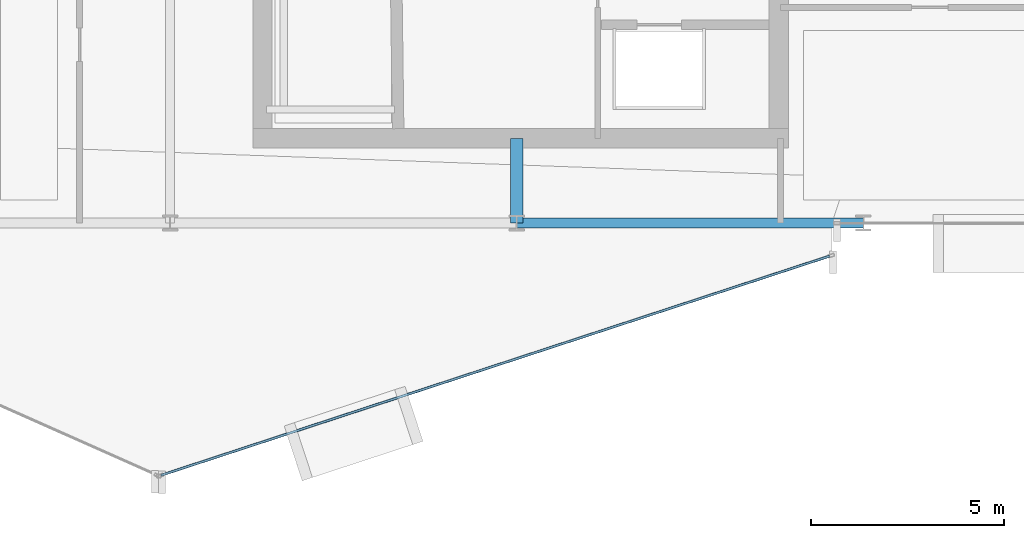
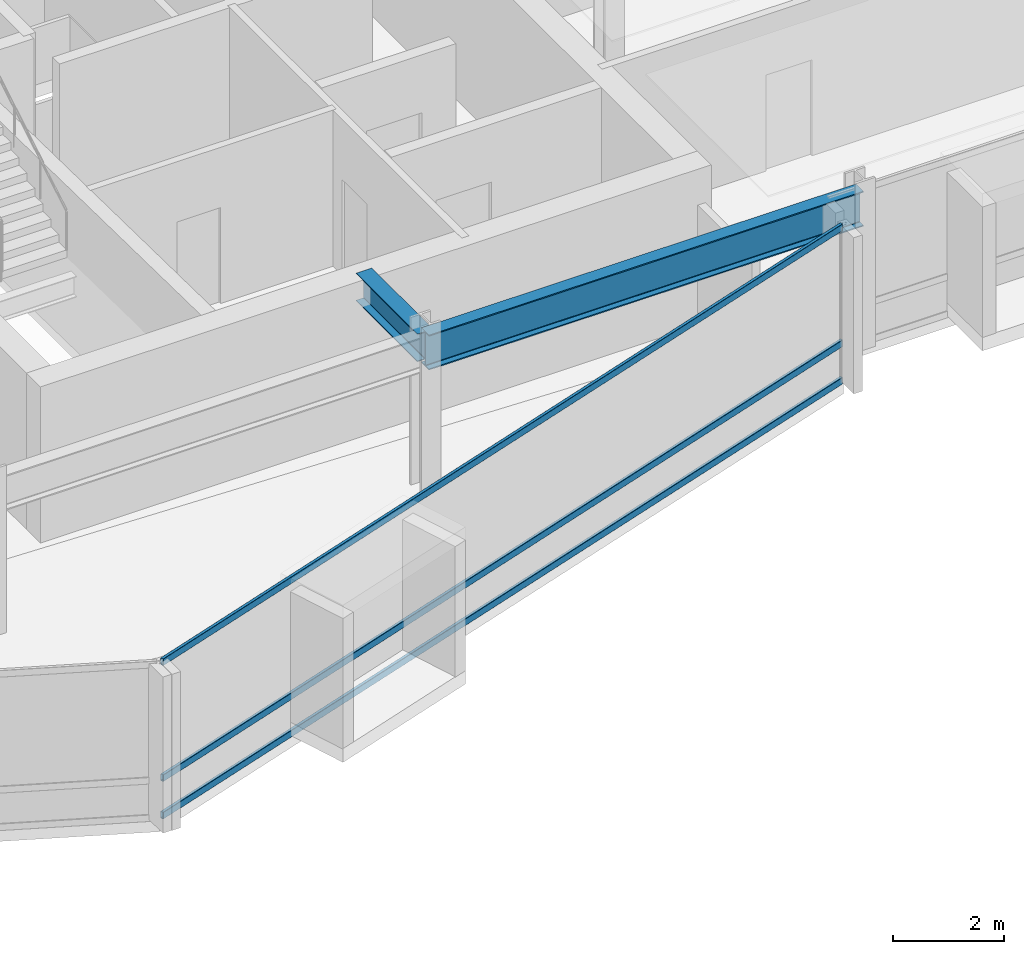
# One storey, part 9 of 27: 3 members, 2 beams, 1 element without a shape of its own.
"""IFC4 building model written with IfcOpenShell, lengths in metres."""

from ifc_helpers import new_model, si_unit, direction, frame, origin, origin_2d, place, context, subcontext, project, spatial, hollow_rectangle, i_section, extrude, material, layer, layer_set, material_profile, profile_set, type_object, element, aggregate, save


model = new_model("IFC4")

# Units and contexts
model_context = context("Model", 3, precision=1e-05, world=origin(), true_north=direction((0.0, 1.0)))
body_context = subcontext(model_context, "Body", "Model", "MODEL_VIEW")
ifc_project = project(units=[si_unit("LENGTHUNIT", "METRE"), si_unit("AREAUNIT", "SQUARE_METRE"), si_unit("VOLUMEUNIT", "CUBIC_METRE"), si_unit("PLANEANGLEUNIT", "RADIAN"), si_unit("MASSUNIT", "GRAM", prefix="KILO")], contexts=[model_context])

# Site, building, storey
site_placement = place(None, origin())
site = spatial("IfcSite", under=ifc_project, at=site_placement, CompositionType="ELEMENT")
building_placement = place(site_placement, origin())
building = spatial("IfcBuilding", under=site, at=building_placement, Name="Solvaryn Broadcast Tower", CompositionType="ELEMENT")
storey_placement = place(building_placement, frame((0.0, 0.0, 189.0)))
storey = spatial("IfcBuildingStorey", under=building, at=storey_placement, Name="L47", CompositionType="ELEMENT", Elevation=189.0)

# Beams
ifc_material_1 = material(Name="Steel ASTM A992 Grade 50", Category="steel")
ifc_material_profile_1 = material_profile(ifc_material_1, i_section(OverallWidth=0.323974609375, OverallDepth=0.611083984375, WebThickness=0.0126953125, FlangeThickness=0.01904296875, FilletRadius=0.014892578125, at=origin_2d()))
ifc_profile_set_1 = profile_set([ifc_material_profile_1], Name="Steel ASTM A992 Grade 50")
beam_type_1 = type_object("IfcBeamType", Name="BM-B1-W24X104", PredefinedType="BEAM", material=ifc_profile_set_1)
beam_1_placement = place(storey_placement, frame((36.0, 9.0, 3.114501953125), z_axis=(0.0, 1.0, 0.0), x_axis=(-1.0, 0.0, 0.0)))
element("IfcBeam", 1, at=beam_1_placement, inside=storey, type_object=beam_type_1, Name="L47 Core Tie Beam CTE1", PredefinedType="BEAM", context=body_context, shape_type="SweptSolid", body=[
    extrude(i_section(OverallWidth=0.323974609375, OverallDepth=0.611083984375, WebThickness=0.0126953125, FlangeThickness=0.01904296875, FilletRadius=0.014892578125, at=origin_2d()), origin(), (0.0, 0.0, 1.0), 2.199951171875),
])
ifc_material_2 = material(Name="Steel ASTM A992 Grade 50", Category="steel")
ifc_material_profile_2 = material_profile(ifc_material_2, i_section(OverallWidth=0.26708984375, OverallDepth=0.76611328125, WebThickness=0.014892578125, FlangeThickness=0.023681640625, FilletRadius=0.01806640625, at=origin_2d()))
ifc_profile_set_2 = profile_set([ifc_material_profile_2], Name="Steel ASTM A992 Grade 50")
beam_type_2 = type_object("IfcBeamType", Name="BM-SP2-W30X124", PredefinedType="USERDEFINED", material=ifc_profile_set_2)
beam_2_placement = place(storey_placement, frame((36.0, 9.0, 3.037109375), z_axis=(1.0, 0.0, 0.0), x_axis=(0.0, 1.0, 0.0)))
element("IfcBeam", 2, at=beam_2_placement, inside=storey, type_object=beam_type_2, Name="L47 Spandrel Beam X (36-45 @ Y=9)", ObjectType="SPANDREL", PredefinedType="USERDEFINED", context=body_context, shape_type="SweptSolid", body=[
    extrude(i_section(OverallWidth=0.26708984375, OverallDepth=0.76611328125, WebThickness=0.014892578125, FlangeThickness=0.023681640625, FilletRadius=0.01806640625, at=origin_2d()), origin(), (0.0, 0.0, 1.0), 9.0),
])

# Curtain wall, members
ifc_material_3 = material(Name="Aluminium and Terracotta Unitised Curtain Wall", Category="masonry")
ifc_layer = layer(ifc_material_3, 0.199951171875)
ifc_layer_set = layer_set([ifc_layer], Name="CW-SYS2-LOWMID")
curtain_wall_type = type_object("IfcCurtainWallType", Name="CW-SYS2-LOWMID", PredefinedType="NOTDEFINED", material=ifc_layer_set)
curtain_wall_placement = place(storey_placement, origin())
curtain_wall = element("IfcCurtainWall", 3, at=curtain_wall_placement, inside=storey, type_object=curtain_wall_type, Name="L47 Curtain Wall DR4", PredefinedType="NOTDEFINED")
ifc_material_4 = material(Name="Anodised Aluminium 6063-T6", Category="aluminium")
ifc_material_profile_3 = material_profile(ifc_material_4, hollow_rectangle(XDim=0.06494140625, YDim=0.14990234375, WallThickness=0.00390625, InnerFilletRadius=0.00390625, OuterFilletRadius=0.008056640625, at=origin_2d()))
ifc_profile_set_3 = profile_set([ifc_material_profile_3], Name="Anodised Aluminium 6063-T6")
member_type = type_object("IfcMemberType", Name="CW-TRN-150", PredefinedType="USERDEFINED", material=ifc_profile_set_3)
member_1_placement = place(storey_placement, frame((26.762939453125, 2.45166015625, 0.030029296875), z_axis=(0.950227141586, 0.311557987209, 0.0), x_axis=(-0.311557987209, 0.950227141586, 0.0)))
member_1 = element("IfcMember", 4, at=member_1_placement, type_object=member_type, Name="CWS2 transom 1.1", ObjectType="TRANSOM", PredefinedType="USERDEFINED", context=body_context, shape_type="SweptSolid", body=[
    extrude(hollow_rectangle(XDim=0.06494140625, YDim=0.14990234375, WallThickness=0.00390625, InnerFilletRadius=0.00390625, OuterFilletRadius=0.008056640625, at=origin_2d()), origin(), (0.0, 0.0, 1.0), 18.271484375),
])
member_2_placement = place(storey_placement, frame((26.762939453125, 2.45166015625, 0.85009765625), z_axis=(0.950227141586, 0.311557987209, 0.0), x_axis=(-0.311557987209, 0.950227141586, 0.0)))
member_2 = element("IfcMember", 5, at=member_2_placement, type_object=member_type, Name="CWS2 transom 1.2", ObjectType="TRANSOM", PredefinedType="USERDEFINED", context=body_context, shape_type="SweptSolid", body=[
    extrude(hollow_rectangle(XDim=0.06494140625, YDim=0.14990234375, WallThickness=0.00390625, InnerFilletRadius=0.00390625, OuterFilletRadius=0.008056640625, at=origin_2d()), origin(), (0.0, 0.0, 1.0), 18.271484375),
])
member_3_placement = place(storey_placement, frame((26.762939453125, 2.45166015625, 3.389892578125), z_axis=(0.950227141586, 0.311557987209, 0.0), x_axis=(-0.311557987209, 0.950227141586, 0.0)))
member_3 = element("IfcMember", 6, at=member_3_placement, type_object=member_type, Name="CWS2 transom 1.3", ObjectType="TRANSOM", PredefinedType="USERDEFINED", context=body_context, shape_type="SweptSolid", body=[
    extrude(hollow_rectangle(XDim=0.06494140625, YDim=0.14990234375, WallThickness=0.00390625, InnerFilletRadius=0.00390625, OuterFilletRadius=0.008056640625, at=origin_2d()), origin(), (0.0, 0.0, 1.0), 18.271484375),
])
aggregate(curtain_wall, [member_1, member_2, member_3])

save(model, "model.ifc")
